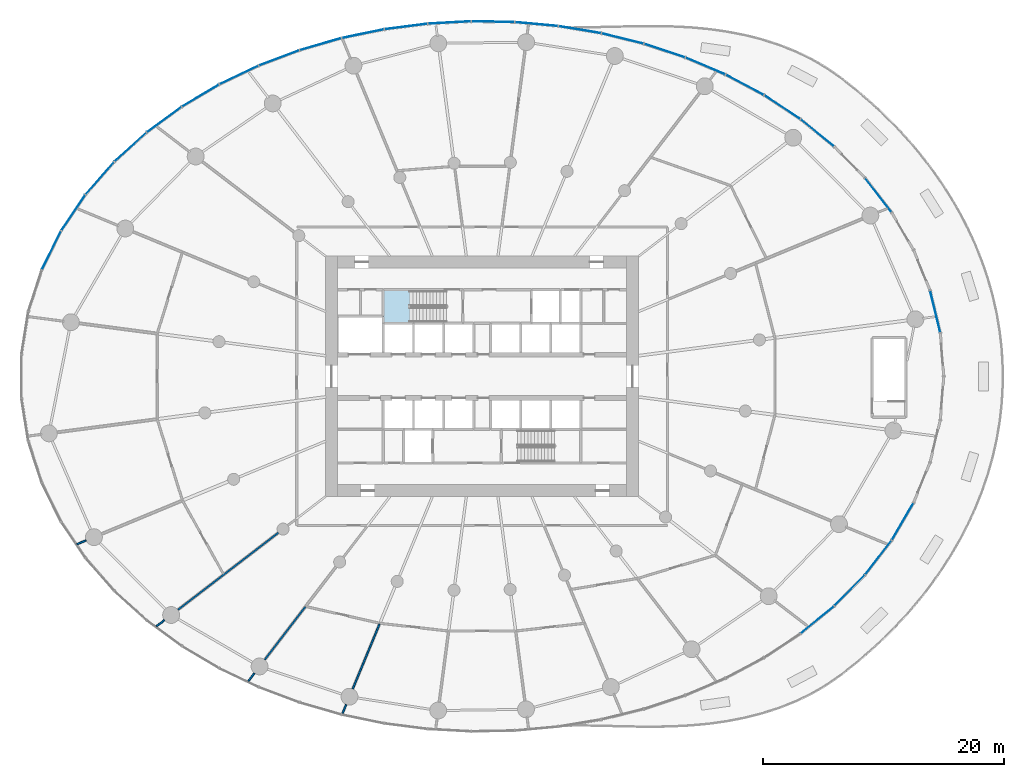
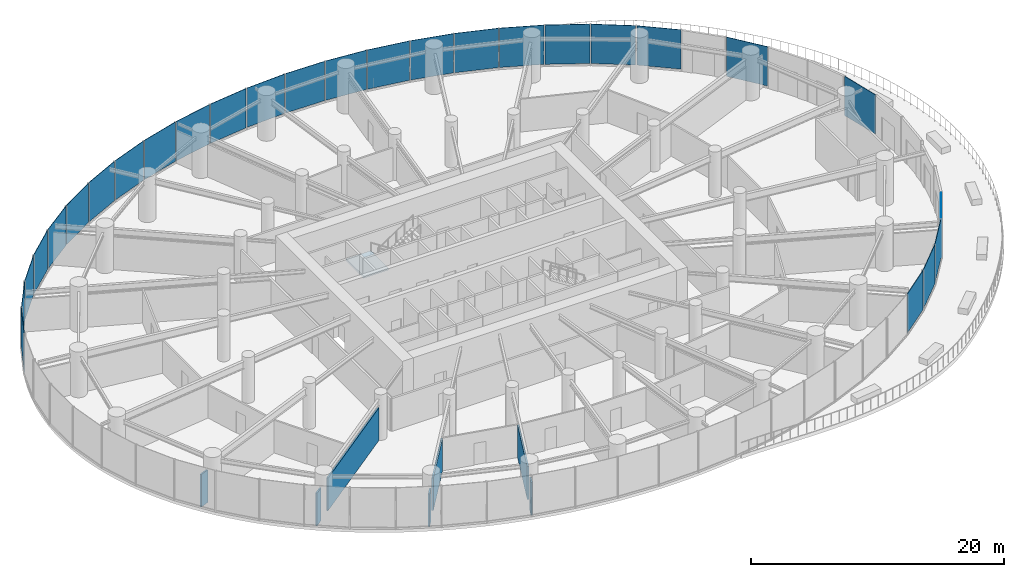
# One storey, part 10 of 21: 27 plates, 7 walls, 1 slab, 8 elements without a shape of their own.
"""IFC4 building model written with IfcOpenShell, lengths in metres."""

from ifc_helpers import new_model, si_unit, direction, frame, frame_2d, origin, origin_2d, place, context, subcontext, project, spatial, line, indexed_curve, rectangle, outline, extrude, source, transform, mapped, material, layer, layer_set, type_object, element, aggregate, save


model = new_model("IFC4")

# Units and contexts
model_context = context("Model", 3, precision=1e-05, world=origin(), true_north=direction((0.0, 1.0)))
body_context = subcontext(model_context, "Body", "Model", "MODEL_VIEW")
ifc_project = project(units=[si_unit("LENGTHUNIT", "METRE"), si_unit("AREAUNIT", "SQUARE_METRE"), si_unit("VOLUMEUNIT", "CUBIC_METRE"), si_unit("PLANEANGLEUNIT", "RADIAN"), si_unit("MASSUNIT", "GRAM", prefix="KILO")], contexts=[model_context])

# Site, building, storey
site_placement = place(None, origin())
site = spatial("IfcSite", under=ifc_project, at=site_placement, CompositionType="ELEMENT")
building_placement = place(site_placement, origin())
building = spatial("IfcBuilding", under=site, at=building_placement, Name="Spindrift Exchange Tower", CompositionType="ELEMENT")
storey_placement = place(building_placement, frame((0.0, 0.0, 18.199951171875)))
storey = spatial("IfcBuildingStorey", under=building, at=storey_placement, Name="L04", CompositionType="ELEMENT", Elevation=18.199951171875)

# Stair, slab
ifc_material_1 = material(Name="Concrete 50 MPa", Category="concrete")
stair_type = type_object("IfcStairType", Name="ST-1250-R183", PredefinedType="HALF_TURN_STAIR", material=ifc_material_1)
stair_placement = place(storey_placement, origin())
stair = element("IfcStair", 1, at=stair_placement, inside=storey, type_object=stair_type, Name="L04 Exit stair ST1", PredefinedType="HALF_TURN_STAIR")
ifc_layer_1 = layer(ifc_material_1, 0.199951171875)
ifc_layer_set_1 = layer_set([ifc_layer_1], Name="SL-LANDING")
slab_type = type_object("IfcSlabType", Name="SL-LANDING", PredefinedType="LANDING", material=ifc_layer_set_1)
slab_placement = place(storey_placement, frame((0.0, 0.0, 2.0)))
slab = element("IfcSlab", 2, at=slab_placement, type_object=slab_type, Name="ST1 landing 1", PredefinedType="LANDING", context=body_context, shape_type="SweptSolid", body=[
    extrude(outline(indexed_curve([(46.050048828125, 52.39990234375), (43.800048828125, 52.39990234375), (43.800048828125, 55.199951171875), (46.050048828125, 55.199951171875)], segments=[line(1, 2, 3, 4, 1)], self_intersect=False)), origin(), (0.0, 0.0, 1.0), 0.199951171875),
])
aggregate(stair, [slab])

# Curtain wall, plates
ifc_material_2 = material(Name="Fritted laminated glass with bronze frame", Category="glass")
ifc_layer_2 = layer(ifc_material_2, 0.219970703125)
ifc_layer_set_2 = layer_set([ifc_layer_2], Name="PODIUM BRONZE GLAZED WALL")
curtain_wall_type = type_object("IfcCurtainWallType", Name="PODIUM BRONZE GLAZED WALL", PredefinedType="NOTDEFINED", material=ifc_layer_set_2)
curtain_wall_1_placement = place(storey_placement, origin())
curtain_wall_1 = element("IfcCurtainWall", 3, at=curtain_wall_1_placement, inside=storey, type_object=curtain_wall_type, Name="L04 Podium Bronze Glazed Wall run 1", PredefinedType="NOTDEFINED")
ifc_material_3 = material(Name="Bronze tinted laminated glass, light frit", Category="glass")
ifc_layer_3 = layer(ifc_material_3, 0.0400390625)
ifc_layer_set_3 = layer_set([ifc_layer_3], Name="PODIUM BRONZE GLAZED WALL PANEL LIGHT FRIT 720")
plate_type_1 = type_object("IfcPlateType", Name="PODIUM BRONZE GLAZED WALL PANEL LIGHT FRIT 720", PredefinedType="CURTAIN_PANEL", material=ifc_layer_set_3)
shared_shape_1 = source(origin(), body_context, "Body", "SweptSolid", [
    extrude(rectangle(XDim=3.534423828125, YDim=0.0400390625, at=origin_2d()), origin(), (0.0, 0.0, 1.0), 3.7900390625),
])
plate_1_placement = place(storey_placement, frame((89.63623046875, 53.37451171875, 0.159912109375), z_axis=(0.0, 0.0, 1.0), x_axis=(-0.234594141162, 0.972093405457, 0.0)))
plate_1 = element("IfcPlate", 4, at=plate_1_placement, type_object=plate_type_1, Name="L04 panel CW-P.2", PredefinedType="CURTAIN_PANEL", context=body_context, shape_type="MappedRepresentation", body=[
    mapped(shared_shape_1, transform((0.0, 0.0, 0.0), scale=1.0)),
])
ifc_layer_4 = layer(ifc_material_3, 0.0400390625)
ifc_layer_set_4 = layer_set([ifc_layer_4], Name="PODIUM BRONZE GLAZED WALL PANEL LIGHT FRIT 1200")
plate_type_2 = type_object("IfcPlateType", Name="PODIUM BRONZE GLAZED WALL PANEL LIGHT FRIT 1200", PredefinedType="CURTAIN_PANEL", material=ifc_layer_set_4)
shared_shape_2 = source(origin(), body_context, "Body", "SweptSolid", [
    extrude(rectangle(XDim=3.535888671875, YDim=0.0400390625, at=origin_2d()), origin(), (0.0, 0.0, 1.0), 3.7900390625),
])
plate_2_placement = place(storey_placement, frame((84.906005859375, 63.058349609375, 0.159912109375), z_axis=(0.0, 0.0, 1.0), x_axis=(-0.611768677134, 0.791036715759, 0.0)))
plate_2 = element("IfcPlate", 5, at=plate_2_placement, type_object=plate_type_2, Name="L04 panel CW-P.5", PredefinedType="CURTAIN_PANEL", context=body_context, shape_type="MappedRepresentation", body=[
    mapped(shared_shape_2, transform((0.0, 0.0, 0.0), scale=1.0)),
])
aggregate(curtain_wall_1, [plate_1, plate_2])

# Curtain wall, plate
curtain_wall_2_placement = place(storey_placement, origin())
curtain_wall_2 = element("IfcCurtainWall", 6, at=curtain_wall_2_placement, inside=storey, type_object=curtain_wall_type, Name="L04 Podium Bronze Glazed Wall run 5", PredefinedType="NOTDEFINED")
plate_3_placement = place(storey_placement, frame((20.243896484375, 64.456787109375, 0.159912109375), z_axis=(0.0, 0.0, 1.0), x_axis=(-0.658844405135, -0.752279236602, 0.0)))
plate_3 = element("IfcPlate", 7, at=plate_3_placement, type_object=plate_type_2, Name="L04 panel CW-P.25", PredefinedType="CURTAIN_PANEL", context=body_context, shape_type="MappedRepresentation", body=[
    mapped(shared_shape_2, transform((0.0, 0.0, 0.0), scale=1.0)),
])

# Curtain wall, plates
curtain_wall_3_placement = place(storey_placement, origin())
curtain_wall_3 = element("IfcCurtainWall", 8, at=curtain_wall_3_placement, inside=storey, type_object=curtain_wall_type, Name="L04 Podium Bronze Glazed Wall run 2", PredefinedType="NOTDEFINED")
ifc_layer_5 = layer(ifc_material_3, 0.0400390625)
ifc_layer_set_5 = layer_set([ifc_layer_5], Name="PODIUM BRONZE GLAZED WALL PANEL LIGHT FRIT 960")
plate_type_3 = type_object("IfcPlateType", Name="PODIUM BRONZE GLAZED WALL PANEL LIGHT FRIT 960", PredefinedType="CURTAIN_PANEL", material=ifc_layer_set_5)
shared_shape_3 = source(origin(), body_context, "Body", "SweptSolid", [
    extrude(rectangle(XDim=3.53662109375, YDim=0.0400390625, at=origin_2d()), origin(), (0.0, 0.0, 1.0), 3.7900390625),
])
plate_4_placement = place(storey_placement, frame((79.846923828125, 68.2216796875, 0.159912109375), z_axis=(0.0, 0.0, 1.0), x_axis=(-0.775231214705, 0.631677578949, 0.0)))
plate_4 = element("IfcPlate", 9, at=plate_4_placement, type_object=plate_type_3, Name="L04 panel CW-P.7", PredefinedType="CURTAIN_PANEL", context=body_context, shape_type="MappedRepresentation", body=[
    mapped(shared_shape_3, transform((0.0, 0.0, 0.0), scale=1.0)),
])
shared_shape_4 = source(origin(), body_context, "Body", "SweptSolid", [
    extrude(rectangle(XDim=3.536865234375, YDim=0.0400390625, at=origin_2d()), origin(), (0.0, 0.0, 1.0), 3.7900390625),
])
plate_5_placement = place(storey_placement, frame((76.92724609375, 70.365478515625, 0.159912109375), z_axis=(0.0, 0.0, 1.0), x_axis=(-0.834796938874, 0.550557963203, 0.0)))
plate_5 = element("IfcPlate", 10, at=plate_5_placement, type_object=plate_type_2, Name="L04 panel CW-P.8", PredefinedType="CURTAIN_PANEL", context=body_context, shape_type="MappedRepresentation", body=[
    mapped(shared_shape_4, transform((0.0, 0.0, 0.0), scale=1.0)),
])
plate_6_placement = place(storey_placement, frame((73.813232421875, 72.216796875, 0.159912109375), z_axis=(0.0, 0.0, 1.0), x_axis=(-0.88248339165, 0.470343558967, 0.0)))
plate_6 = element("IfcPlate", 11, at=plate_6_placement, type_object=plate_type_2, Name="L04 panel CW-P.9", PredefinedType="CURTAIN_PANEL", context=body_context, shape_type="MappedRepresentation", body=[
    mapped(shared_shape_4, transform((0.0, 0.0, 0.0), scale=1.0)),
])
shared_shape_5 = source(origin(), body_context, "Body", "SweptSolid", [
    extrude(rectangle(XDim=3.537109375, YDim=0.0400390625, at=origin_2d()), origin(), (0.0, 0.0, 1.0), 3.7900390625),
])
plate_7_placement = place(storey_placement, frame((70.544189453125, 73.780029296875, 0.159912109375), z_axis=(0.0, 0.0, 1.0), x_axis=(-0.920121835815, 0.3916322347, 0.0)))
plate_7 = element("IfcPlate", 12, at=plate_7_placement, type_object=plate_type_1, Name="L04 panel CW-P.10", PredefinedType="CURTAIN_PANEL", context=body_context, shape_type="MappedRepresentation", body=[
    mapped(shared_shape_5, transform((0.0, 0.0, 0.0), scale=1.0)),
])

# Curtain wall, plate
curtain_wall_4_placement = place(storey_placement, origin())
curtain_wall_4 = element("IfcCurtainWall", 13, at=curtain_wall_4_placement, inside=storey, type_object=curtain_wall_type, Name="L04 Podium Bronze Glazed Wall run 4", PredefinedType="NOTDEFINED")
plate_8_placement = place(storey_placement, frame((35.1376953125, 74.45556640625, 0.159912109375), z_axis=(0.0, 0.0, 1.0), x_axis=(-0.935663477322, -0.352893549398, 0.0)))
plate_8 = element("IfcPlate", 14, at=plate_8_placement, type_object=plate_type_1, Name="L04 panel CW-P.20", PredefinedType="CURTAIN_PANEL", context=body_context, shape_type="MappedRepresentation", body=[
    mapped(shared_shape_5, transform((0.0, 0.0, 0.0), scale=1.0)),
])

# Plate
shared_shape_6 = source(origin(), body_context, "Body", "SweptSolid", [
    extrude(rectangle(XDim=3.537353515625, YDim=0.0400390625, at=origin_2d()), origin(), (0.0, 0.0, 1.0), 3.7900390625),
])
plate_9_placement = place(storey_placement, frame((67.15380859375, 75.060791015625, 0.159912109375), z_axis=(0.0, 0.0, 1.0), x_axis=(-0.949246669379, 0.314532606692, 0.0)))
plate_9 = element("IfcPlate", 15, at=plate_9_placement, type_object=plate_type_1, Name="L04 panel CW-P.11", PredefinedType="CURTAIN_PANEL", context=body_context, shape_type="MappedRepresentation", body=[
    mapped(shared_shape_6, transform((0.0, 0.0, 0.0), scale=1.0)),
])

# Curtain wall, plates
curtain_wall_5_placement = place(storey_placement, origin())
curtain_wall_5 = element("IfcCurtainWall", 16, at=curtain_wall_5_placement, inside=storey, type_object=curtain_wall_type, Name="L04 Podium Bronze Glazed Wall run 3", PredefinedType="NOTDEFINED")
plate_10_placement = place(storey_placement, frame((56.52587890625, 77.260498046875, 0.159912109375), z_axis=(0.0, 0.0, 1.0), x_axis=(-0.995838079649, 0.091140107088, 0.0)))
plate_10 = element("IfcPlate", 17, at=plate_10_placement, type_object=plate_type_1, Name="L04 panel CW-P.14", PredefinedType="CURTAIN_PANEL", context=body_context, shape_type="MappedRepresentation", body=[
    mapped(shared_shape_6, transform((0.0, 0.0, 0.0), scale=1.0)),
])
plate_11_placement = place(storey_placement, frame((52.906494140625, 77.458740234375, 0.159912109375), z_axis=(0.0, 0.0, 1.0), x_axis=(-0.999834474509, 0.018194053526, 0.0)))
plate_11 = element("IfcPlate", 18, at=plate_11_placement, type_object=plate_type_1, Name="L04 panel CW-P.15", PredefinedType="CURTAIN_PANEL", context=body_context, shape_type="MappedRepresentation", body=[
    mapped(shared_shape_6, transform((0.0, 0.0, 0.0), scale=1.0)),
])
plate_12_placement = place(storey_placement, frame((49.281982421875, 77.392578125, 0.159912109375), z_axis=(0.0, 0.0, 1.0), x_axis=(-0.998507646008, -0.054612094476, 0.0)))
plate_12 = element("IfcPlate", 19, at=plate_12_placement, type_object=plate_type_1, Name="L04 panel CW-P.16", PredefinedType="CURTAIN_PANEL", context=body_context, shape_type="MappedRepresentation", body=[
    mapped(shared_shape_6, transform((0.0, 0.0, 0.0), scale=1.0)),
])

# Plate
plate_13_placement = place(storey_placement, frame((38.57763671875, 75.596923828125, 0.159912109375), z_axis=(0.0, 0.0, 1.0), x_axis=(-0.961001004302, -0.276544878332, 0.0)))
plate_13 = element("IfcPlate", 20, at=plate_13_placement, type_object=plate_type_1, Name="L04 panel CW-P.19", PredefinedType="CURTAIN_PANEL", context=body_context, shape_type="MappedRepresentation", body=[
    mapped(shared_shape_6, transform((0.0, 0.0, 0.0), scale=1.0)),
])

shared_shape_7 = source(origin(), body_context, "Body", "SweptSolid", [
    extrude(rectangle(XDim=3.537353515625, YDim=0.0400390625, at=origin_2d()), origin(), (0.0, 0.0, 1.0), 3.7900390625),
])
plate_14_placement = place(storey_placement, frame((63.671142578125, 76.064697265625, 0.159912109375), z_axis=(0.0, 0.0, 1.0), x_axis=(-0.971034278054, 0.238940224416, 0.0)))
plate_14 = element("IfcPlate", 21, at=plate_14_placement, type_object=plate_type_2, Name="L04 panel CW-P.12", PredefinedType="CURTAIN_PANEL", context=body_context, shape_type="MappedRepresentation", body=[
    mapped(shared_shape_7, transform((0.0, 0.0, 0.0), scale=1.0)),
])

aggregate(curtain_wall_3, [plate_4, plate_5, plate_6, plate_7, plate_9, plate_14])

plate_15_placement = place(storey_placement, frame((42.096923828125, 76.46435546875, 0.159912109375), z_axis=(0.0, 0.0, 1.0), x_axis=(-0.979461386098, -0.20163182572, 0.0)))
plate_15 = element("IfcPlate", 22, at=plate_15_placement, type_object=plate_type_2, Name="L04 panel CW-P.18", PredefinedType="CURTAIN_PANEL", context=body_context, shape_type="MappedRepresentation", body=[
    mapped(shared_shape_7, transform((0.0, 0.0, 0.0), scale=1.0)),
])

shared_shape_8 = source(origin(), body_context, "Body", "SweptSolid", [
    extrude(rectangle(XDim=3.537353515625, YDim=0.0400390625, at=origin_2d()), origin(), (0.0, 0.0, 1.0), 3.7900390625),
])
plate_16_placement = place(storey_placement, frame((60.12109375, 76.79638671875, 0.159912109375), z_axis=(0.0, 0.0, 1.0), x_axis=(-0.98635895977, 0.164608634286, 0.0)))
plate_16 = element("IfcPlate", 23, at=plate_16_placement, type_object=plate_type_3, Name="L04 panel CW-P.13", PredefinedType="CURTAIN_PANEL", context=body_context, shape_type="MappedRepresentation", body=[
    mapped(shared_shape_8, transform((0.0, 0.0, 0.0), scale=1.0)),
])

plate_17_placement = place(storey_placement, frame((45.672119140625, 77.061767578125, 0.159912109375), z_axis=(0.0, 0.0, 1.0), x_axis=(-0.991799025411, -0.127807250158, 0.0)))
plate_17 = element("IfcPlate", 24, at=plate_17_placement, type_object=plate_type_3, Name="L04 panel CW-P.17", PredefinedType="CURTAIN_PANEL", context=body_context, shape_type="MappedRepresentation", body=[
    mapped(shared_shape_8, transform((0.0, 0.0, 0.0), scale=1.0)),
])

aggregate(curtain_wall_5, [plate_16, plate_10, plate_11, plate_12, plate_17, plate_15])

shared_shape_9 = source(origin(), body_context, "Body", "SweptSolid", [
    extrude(rectangle(XDim=3.537109375, YDim=0.0400390625, at=origin_2d()), origin(), (0.0, 0.0, 1.0), 3.7900390625),
])
plate_18_placement = place(storey_placement, frame((31.80419921875, 73.0341796875, 0.159912109375), z_axis=(0.0, 0.0, 1.0), x_axis=(-0.902455253843, -0.43078360555, 0.0)))
plate_18 = element("IfcPlate", 25, at=plate_18_placement, type_object=plate_type_3, Name="L04 panel CW-P.21", PredefinedType="CURTAIN_PANEL", context=body_context, shape_type="MappedRepresentation", body=[
    mapped(shared_shape_9, transform((0.0, 0.0, 0.0), scale=1.0)),
])

shared_shape_10 = source(origin(), body_context, "Body", "SweptSolid", [
    extrude(rectangle(XDim=3.536865234375, YDim=0.0400390625, at=origin_2d()), origin(), (0.0, 0.0, 1.0), 3.7900390625),
])
plate_19_placement = place(storey_placement, frame((28.60791015625, 71.32763671875, 0.159912109375), z_axis=(0.0, 0.0, 1.0), x_axis=(-0.859995699192, -0.510301280982, 0.0)))
plate_19 = element("IfcPlate", 26, at=plate_19_placement, type_object=plate_type_1, Name="L04 panel CW-P.22", PredefinedType="CURTAIN_PANEL", context=body_context, shape_type="MappedRepresentation", body=[
    mapped(shared_shape_10, transform((0.0, 0.0, 0.0), scale=1.0)),
])

shared_shape_11 = source(origin(), body_context, "Body", "SweptSolid", [
    extrude(rectangle(XDim=3.53662109375, YDim=0.0400390625, at=origin_2d()), origin(), (0.0, 0.0, 1.0), 3.7900390625),
])
plate_20_placement = place(storey_placement, frame((25.585693359375, 69.330322265625, 0.159912109375), z_axis=(0.0, 0.0, 1.0), x_axis=(-0.806640645628, -0.591042188698, 0.0)))
plate_20 = element("IfcPlate", 27, at=plate_20_placement, type_object=plate_type_1, Name="L04 panel CW-P.23", PredefinedType="CURTAIN_PANEL", context=body_context, shape_type="MappedRepresentation", body=[
    mapped(shared_shape_11, transform((0.0, 0.0, 0.0), scale=1.0)),
])

shared_shape_12 = source(origin(), body_context, "Body", "SweptSolid", [
    extrude(rectangle(XDim=3.536376953125, YDim=0.0400390625, at=origin_2d()), origin(), (0.0, 0.0, 1.0), 3.7900390625),
])
plate_21_placement = place(storey_placement, frame((22.78076171875, 67.039794921875, 0.159912109375), z_axis=(0.0, 0.0, 1.0), x_axis=(-0.740315520341, -0.672259570659, 0.0)))
plate_21 = element("IfcPlate", 28, at=plate_21_placement, type_object=plate_type_2, Name="L04 panel CW-P.24", PredefinedType="CURTAIN_PANEL", context=body_context, shape_type="MappedRepresentation", body=[
    mapped(shared_shape_12, transform((0.0, 0.0, 0.0), scale=1.0)),
])

aggregate(curtain_wall_4, [plate_13, plate_8, plate_18, plate_19, plate_20, plate_21])

shared_shape_13 = source(origin(), body_context, "Body", "SweptSolid", [
    extrude(rectangle(XDim=3.53564453125, YDim=0.0400390625, at=origin_2d()), origin(), (0.0, 0.0, 1.0), 3.7900390625),
])
plate_22_placement = place(storey_placement, frame((18.033935546875, 61.59130859375, 0.159912109375), z_axis=(0.0, 0.0, 1.0), x_axis=(-0.560174985227, -0.828374303033, 0.0)))
plate_22 = element("IfcPlate", 29, at=plate_22_placement, type_object=plate_type_1, Name="L04 panel CW-P.26", PredefinedType="CURTAIN_PANEL", context=body_context, shape_type="MappedRepresentation", body=[
    mapped(shared_shape_13, transform((0.0, 0.0, 0.0), scale=1.0)),
])

shared_shape_14 = source(origin(), body_context, "Body", "SweptSolid", [
    extrude(rectangle(XDim=3.53515625, YDim=0.0400390625, at=origin_2d()), origin(), (0.0, 0.0, 1.0), 3.7900390625),
])
plate_23_placement = place(storey_placement, frame((16.21533203125, 58.464599609375, 0.159912109375), z_axis=(0.0, 0.0, 1.0), x_axis=(-0.443060238143, -0.896491843452, 0.0)))
plate_23 = element("IfcPlate", 30, at=plate_23_placement, type_object=plate_type_2, Name="L04 panel CW-P.27", PredefinedType="CURTAIN_PANEL", context=body_context, shape_type="MappedRepresentation", body=[
    mapped(shared_shape_14, transform((0.0, 0.0, 0.0), scale=1.0)),
])

aggregate(curtain_wall_2, [plate_3, plate_22, plate_23])

# Curtain wall, plates
curtain_wall_6_placement = place(storey_placement, origin())
curtain_wall_6 = element("IfcCurtainWall", 31, at=curtain_wall_6_placement, inside=storey, type_object=curtain_wall_type, Name="L04 Podium Bronze Glazed Wall run 9", PredefinedType="NOTDEFINED")
shared_shape_15 = source(origin(), body_context, "Body", "SweptSolid", [
    extrude(rectangle(XDim=3.53662109375, YDim=0.0400390625, at=origin_2d()), origin(), (0.0, 0.0, 1.0), 3.7900390625),
])
plate_24_placement = place(storey_placement, frame((79.846923828125, 27.7783203125, 0.159912109375), z_axis=(0.0, 0.0, 1.0), x_axis=(0.775231214705, 0.631677578949, 0.0)))
plate_24 = element("IfcPlate", 32, at=plate_24_placement, type_object=plate_type_2, Name="L04 panel CW-P.53", PredefinedType="CURTAIN_PANEL", context=body_context, shape_type="MappedRepresentation", body=[
    mapped(shared_shape_15, transform((0.0, 0.0, 0.0), scale=1.0)),
])
shared_shape_16 = source(origin(), body_context, "Body", "SweptSolid", [
    extrude(rectangle(XDim=3.5361328125, YDim=0.0400390625, at=origin_2d()), origin(), (0.0, 0.0, 1.0), 3.7900390625),
])
plate_25_placement = place(storey_placement, frame((82.524658203125, 30.215576171875, 0.159912109375), z_axis=(0.0, 0.0, 1.0), x_axis=(0.701611023881, 0.712560152667, 0.0)))
plate_25 = element("IfcPlate", 33, at=plate_25_placement, type_object=plate_type_3, Name="L04 panel CW-P.54", PredefinedType="CURTAIN_PANEL", context=body_context, shape_type="MappedRepresentation", body=[
    mapped(shared_shape_16, transform((0.0, 0.0, 0.0), scale=1.0)),
])
aggregate(curtain_wall_6, [plate_24, plate_25])

curtain_wall_7_placement = place(storey_placement, origin())
curtain_wall_7 = element("IfcCurtainWall", 34, at=curtain_wall_7_placement, inside=storey, type_object=curtain_wall_type, Name="L04 Podium Bronze Glazed Wall run 10", PredefinedType="NOTDEFINED")
shared_shape_17 = source(origin(), body_context, "Body", "SweptSolid", [
    extrude(rectangle(XDim=3.535888671875, YDim=0.0400390625, at=origin_2d()), origin(), (0.0, 0.0, 1.0), 3.7900390625),
])
plate_26_placement = place(storey_placement, frame((84.906005859375, 32.941650390625, 0.159912109375), z_axis=(0.0, 0.0, 1.0), x_axis=(0.611768677134, 0.791036715759, 0.0)))
plate_26 = element("IfcPlate", 35, at=plate_26_placement, type_object=plate_type_1, Name="L04 panel CW-P.55", PredefinedType="CURTAIN_PANEL", context=body_context, shape_type="MappedRepresentation", body=[
    mapped(shared_shape_17, transform((0.0, 0.0, 0.0), scale=1.0)),
])
shared_shape_18 = source(origin(), body_context, "Body", "SweptSolid", [
    extrude(rectangle(XDim=3.535400390625, YDim=0.0400390625, at=origin_2d()), origin(), (0.0, 0.0, 1.0), 3.7900390625),
])
plate_27_placement = place(storey_placement, frame((86.928466796875, 35.94140625, 0.159912109375), z_axis=(0.0, 0.0, 1.0), x_axis=(0.503942827286, 0.863737012538, 0.0)))
plate_27 = element("IfcPlate", 36, at=plate_27_placement, type_object=plate_type_2, Name="L04 panel CW-P.56", PredefinedType="CURTAIN_PANEL", context=body_context, shape_type="MappedRepresentation", body=[
    mapped(shared_shape_18, transform((0.0, 0.0, 0.0), scale=1.0)),
])
aggregate(curtain_wall_7, [plate_26, plate_27])

# Walls
ifc_material_4 = material(Name="Fire-rated plasterboard partition", Category="gypsum")
ifc_layer_6 = layer(ifc_material_4, 0.139892578125)
ifc_layer_set_6 = layer_set([ifc_layer_6], Name="W-PART-140")
wall_type_1 = type_object("IfcWallType", Name="W-PART-140", PredefinedType="PARTITIONING", material=ifc_layer_set_6)
wall_1_placement = place(storey_placement, frame((24.93994140625, 27.236083984375, 0.0), z_axis=(0.0, 0.0, 1.0), x_axis=(0.793423692124, 0.608669733745, 0.0)))
element("IfcWall", 37, at=wall_1_placement, inside=storey, type_object=wall_type_1, Name="L04 Partition wall 135", PredefinedType="PARTITIONING", context=body_context, shape_type="SweptSolid", body=[
    extrude(rectangle(XDim=0.839111328125, YDim=0.139892578125, at=frame_2d((0.41943359375, 0.0))), origin(), (0.0, 0.0, 1.0), 3.150146484375),
])
ifc_layer_7 = layer(ifc_material_4, 0.139892578125)
ifc_layer_set_7 = layer_set([ifc_layer_7], Name="W-PLANT-140")
wall_type_2 = type_object("IfcWallType", Name="W-PLANT-140", PredefinedType="PARTITIONING", material=ifc_layer_set_7)
wall_2_placement = place(storey_placement, frame((26.72314453125, 28.6044921875, 0.0), z_axis=(0.0, 0.0, 1.0), x_axis=(0.793353660174, 0.608761012129, 0.0)))
element("IfcWall", 38, at=wall_2_placement, inside=storey, type_object=wall_type_2, Name="L04 Partition wall 69", PredefinedType="PARTITIONING", context=body_context, shape_type="SweptSolid", body=[
    extrude(rectangle(XDim=10.5146484375, YDim=0.139892578125, at=frame_2d((5.25732421875, 0.0))), origin(), (0.0, 0.0, 1.0), 3.150146484375),
])
wall_3_placement = place(storey_placement, frame((43.4755859375, 27.420166015625, 0.0), z_axis=(0.0, 0.0, 1.0), x_axis=(-0.382667741903, -0.923886031557, 0.0)))
element("IfcWall", 39, at=wall_3_placement, inside=storey, type_object=wall_type_2, Name="L04 Partition wall 94", PredefinedType="PARTITIONING", context=body_context, shape_type="SweptSolid", body=[
    extrude(rectangle(XDim=5.82373046875, YDim=0.139892578125, at=frame_2d((2.911865234375, 0.0))), origin(), (0.0, 0.0, 1.0), 3.150146484375),
])
wall_4_placement = place(storey_placement, frame((37.31396484375, 28.86083984375, 0.0), z_axis=(0.0, 0.0, 1.0), x_axis=(-0.608764043611, -0.79335133403, 0.0)))
element("IfcWall", 40, at=wall_4_placement, inside=storey, type_object=wall_type_2, Name="L04 Partition wall 99", PredefinedType="PARTITIONING", context=body_context, shape_type="SweptSolid", body=[
    extrude(rectangle(XDim=5.54833984375, YDim=0.139892578125, at=frame_2d((2.774169921875, 0.0))), origin(), (0.0, 0.0, 1.0), 3.150146484375),
])
wall_5_placement = place(storey_placement, frame((33.0791015625, 23.341552734375, 0.0), z_axis=(0.0, 0.0, 1.0), x_axis=(-0.608939798959, -0.793216440351, 0.0)))
element("IfcWall", 41, at=wall_5_placement, inside=storey, type_object=wall_type_2, Name="L04 Partition wall 137", PredefinedType="PARTITIONING", context=body_context, shape_type="SweptSolid", body=[
    extrude(rectangle(XDim=0.82666015625, YDim=0.139892578125, at=frame_2d((0.413330078125, 0.0))), origin(), (0.0, 0.0, 1.0), 3.150146484375),
])
wall_6_placement = place(storey_placement, frame((19.099853515625, 34.372314453125, 0.0), z_axis=(0.0, 0.0, 1.0), x_axis=(-0.923846977396, -0.382762017913, 0.0)))
element("IfcWall", 42, at=wall_6_placement, inside=storey, type_object=wall_type_2, Name="L04 Partition wall 138", PredefinedType="PARTITIONING", context=body_context, shape_type="SweptSolid", body=[
    extrude(rectangle(XDim=0.823486328125, YDim=0.139892578125, at=frame_2d((0.41162109375, 0.0))), origin(), (0.0, 0.0, 1.0), 3.150146484375),
])
wall_7_placement = place(storey_placement, frame((40.70751953125, 20.7373046875, 0.0), z_axis=(0.0, 0.0, 1.0), x_axis=(-0.382692107758, -0.923875938998, 0.0)))
element("IfcWall", 43, at=wall_7_placement, inside=storey, type_object=wall_type_2, Name="L04 Partition wall 140", PredefinedType="PARTITIONING", context=body_context, shape_type="SweptSolid", body=[
    extrude(rectangle(XDim=0.802490234375, YDim=0.139892578125, at=frame_2d((0.4013671875, 0.0))), origin(), (0.0, 0.0, 1.0), 3.150146484375),
])

save(model, "model.ifc")
